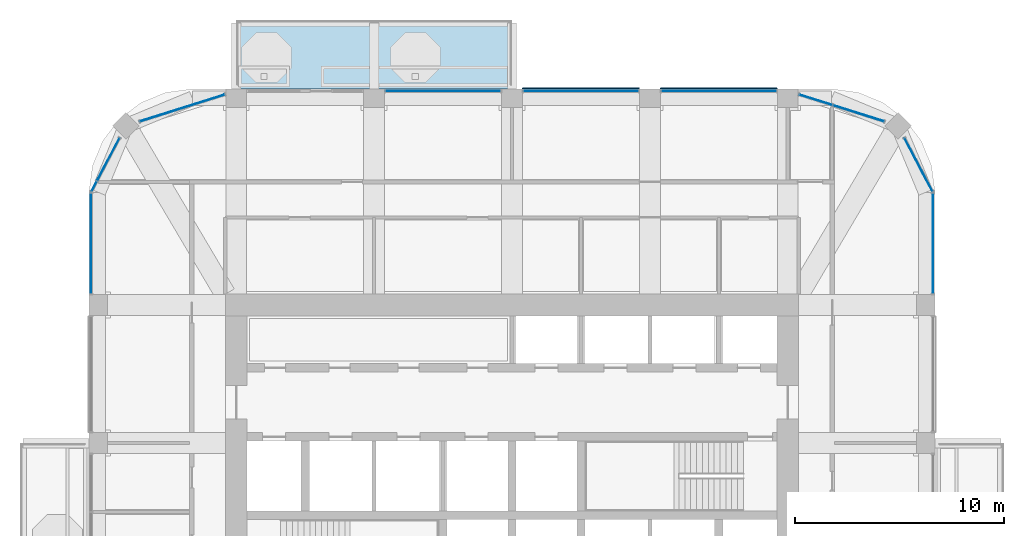
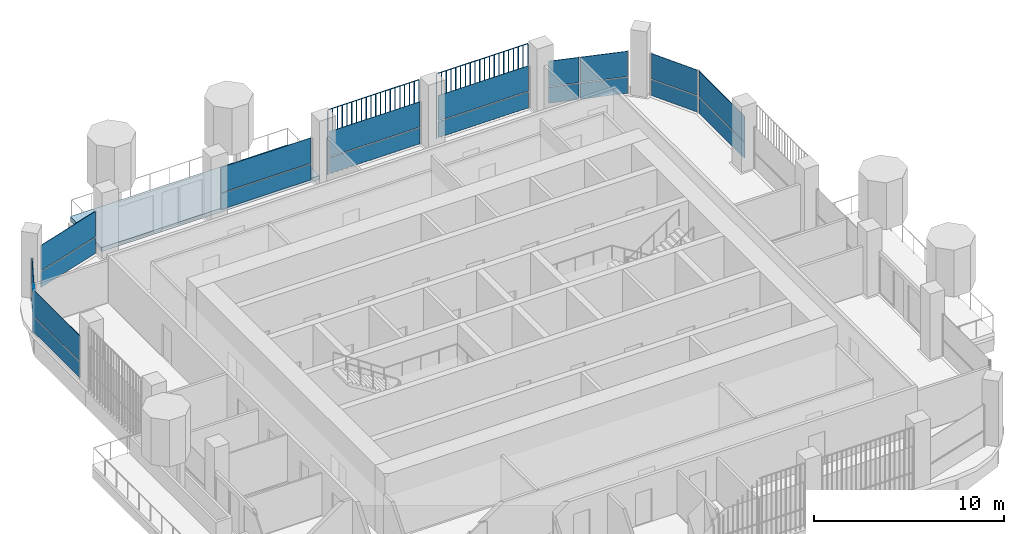
# One storey, part 11 of 19: 24 plates, 1 slab, 9 elements without a shape of their own.
"""IFC4 building model written with IfcOpenShell, lengths in metres."""

from ifc_helpers import new_model, si_unit, direction, frame, origin, origin_2d, place, context, subcontext, project, spatial, polyline, rectangle, outline, extrude, material, layer, layer_set, type_object, element, aggregate, save


model = new_model("IFC4")

# Units and contexts
model_context = context("Model", 3, precision=1e-05, world=origin(), true_north=direction((0.0, 1.0)))
body_context = subcontext(model_context, "Body", "Model", "MODEL_VIEW")
ifc_project = project(units=[si_unit("LENGTHUNIT", "METRE"), si_unit("AREAUNIT", "SQUARE_METRE"), si_unit("VOLUMEUNIT", "CUBIC_METRE"), si_unit("PLANEANGLEUNIT", "RADIAN"), si_unit("MASSUNIT", "GRAM", prefix="KILO")], contexts=[model_context])

# Site, building, storey
site_placement = place(None, origin())
site = spatial("IfcSite", under=ifc_project, at=site_placement, CompositionType="ELEMENT")
building_placement = place(site_placement, origin())
building = spatial("IfcBuilding", under=site, at=building_placement, Name="Cobogo Forest Laboratory Tower", CompositionType="ELEMENT")
storey_placement = place(building_placement, frame((0.0, 0.0, 262.800048828125)))
storey = spatial("IfcBuildingStorey", under=building, at=storey_placement, Name="L60", CompositionType="ELEMENT", Elevation=262.800048828125)

# Slab
ifc_material_1 = material(Name="Concrete HA-40 (C40/50)", Category="concrete")
ifc_layer_1 = layer(ifc_material_1, 0.25)
ifc_layer_set_1 = layer_set([ifc_layer_1], Name="Balcony slab 250")
slab_type = type_object("IfcSlabType", Name="Balcony slab 250", PredefinedType="FLOOR", material=ifc_layer_set_1)
slab_placement = place(storey_placement, frame((0.0, 0.0, -0.25)))
element("IfcSlab", 1, at=slab_placement, inside=storey, type_object=slab_type, Name="Balcony BAL-N1 L60", PredefinedType="FLOOR", context=body_context, shape_type="SweptSolid", body=[
    extrude(outline(polyline([(13.199951171875, 43.35009765625), (26.39990234375, 43.35009765625), (26.39990234375, 46.64990234375), (13.199951171875, 46.64990234375), (13.199951171875, 43.35009765625)])), origin(), (0.0, 0.0, 1.0), 0.25),
])

# Curtain wall, plates
ifc_material_2 = material(Name="Aluminium curtain wall", Category="aluminium")
curtain_wall_type = type_object("IfcCurtainWallType", Name="CW-2 unitised curtain wall, solar control glazing, laboratory floors zones C and D", PredefinedType="USERDEFINED", material=ifc_material_2)
curtain_wall_1_placement = place(storey_placement, origin())
curtain_wall_1 = element("IfcCurtainWall", 2, at=curtain_wall_1_placement, inside=storey, type_object=curtain_wall_type, Name="Curtain wall 11 L60", ObjectType="UNITISED CURTAIN WALL", PredefinedType="USERDEFINED")
ifc_material_3 = material(Name="Solar control insulated glass", Category="glass")
ifc_layer_2 = layer(ifc_material_3, 0.031982421875)
ifc_layer_set_2 = layer_set([ifc_layer_2], Name="GP-2 solar control glass unit 32")
plate_type_1 = type_object("IfcPlateType", Name="GP-2 solar control glass unit 32", PredefinedType="CURTAIN_PANEL", material=ifc_layer_set_2)
plate_1_placement = place(storey_placement, frame((46.550048828125, 35.949951171875, 0.0), z_axis=(0.0, 0.0, 1.0), x_axis=(0.0, 1.0, 0.0)))
plate_1 = element("IfcPlate", 3, at=plate_1_placement, type_object=plate_type_1, Name="CW-2 panel 1.1", PredefinedType="CURTAIN_PANEL", context=body_context, shape_type="SweptSolid", body=[
    extrude(rectangle(XDim=4.780029296875, YDim=0.031982421875, at=origin_2d()), origin(), (0.0, 0.0, 1.0), 1.02001953125),
])
plate_2_placement = place(storey_placement, frame((46.550048828125, 35.949951171875, 1.079833984375), z_axis=(0.0, 0.0, 1.0), x_axis=(0.0, 1.0, 0.0)))
plate_2 = element("IfcPlate", 4, at=plate_2_placement, type_object=plate_type_1, Name="CW-2 panel 1.2", PredefinedType="CURTAIN_PANEL", context=body_context, shape_type="SweptSolid", body=[
    extrude(rectangle(XDim=4.780029296875, YDim=0.031982421875, at=origin_2d()), origin(), (0.0, 0.0, 1.0), 1.6201171875),
])
aggregate(curtain_wall_1, [plate_1, plate_2])

curtain_wall_2_placement = place(storey_placement, origin())
curtain_wall_2 = element("IfcCurtainWall", 5, at=curtain_wall_2_placement, inside=storey, type_object=curtain_wall_type, Name="Curtain wall 12 L60", ObjectType="UNITISED CURTAIN WALL", PredefinedType="USERDEFINED")
plate_3_placement = place(storey_placement, frame((45.85693359375, 39.721923828125, 0.0), z_axis=(0.0, 0.0, 1.0), x_axis=(-0.464283778337, 0.885686498245, 0.0)))
plate_3 = element("IfcPlate", 6, at=plate_3_placement, type_object=plate_type_1, Name="CW-2 panel 1.1", PredefinedType="CURTAIN_PANEL", context=body_context, shape_type="SweptSolid", body=[
    extrude(rectangle(XDim=2.864990234375, YDim=0.031982421875, at=origin_2d()), origin(), (0.0, 0.0, 1.0), 1.02001953125),
])
plate_4_placement = place(storey_placement, frame((45.85693359375, 39.721923828125, 1.079833984375), z_axis=(0.0, 0.0, 1.0), x_axis=(-0.464283778337, 0.885686498245, 0.0)))
plate_4 = element("IfcPlate", 7, at=plate_4_placement, type_object=plate_type_1, Name="CW-2 panel 1.2", PredefinedType="CURTAIN_PANEL", context=body_context, shape_type="SweptSolid", body=[
    extrude(rectangle(XDim=2.864990234375, YDim=0.031982421875, at=origin_2d()), origin(), (0.0, 0.0, 1.0), 1.6201171875),
])
aggregate(curtain_wall_2, [plate_3, plate_4])

curtain_wall_3_placement = place(storey_placement, origin())
curtain_wall_3 = element("IfcCurtainWall", 8, at=curtain_wall_3_placement, inside=storey, type_object=curtain_wall_type, Name="Curtain wall 13 L60", ObjectType="UNITISED CURTAIN WALL", PredefinedType="USERDEFINED")
plate_5_placement = place(storey_placement, frame((42.989501953125, 42.1796875, 0.0), z_axis=(0.0, 0.0, 1.0), x_axis=(-0.953581379409, 0.301135439371, 0.0)))
plate_5 = element("IfcPlate", 9, at=plate_5_placement, type_object=plate_type_1, Name="CW-2 panel 1.1", PredefinedType="CURTAIN_PANEL", context=body_context, shape_type="SweptSolid", body=[
    extrude(rectangle(XDim=2.541748046875, YDim=0.031982421875, at=origin_2d()), origin(), (0.0, 0.0, 1.0), 1.02001953125),
])
plate_6_placement = place(storey_placement, frame((42.989501953125, 42.1796875, 1.079833984375), z_axis=(0.0, 0.0, 1.0), x_axis=(-0.953581379409, 0.301135439371, 0.0)))
plate_6 = element("IfcPlate", 10, at=plate_6_placement, type_object=plate_type_1, Name="CW-2 panel 1.2", PredefinedType="CURTAIN_PANEL", context=body_context, shape_type="SweptSolid", body=[
    extrude(rectangle(XDim=2.541748046875, YDim=0.031982421875, at=origin_2d()), origin(), (0.0, 0.0, 1.0), 1.6201171875),
])
plate_7_placement = place(storey_placement, frame((40.93896484375, 42.8271484375, 0.0), z_axis=(0.0, 0.0, 1.0), x_axis=(-0.953581379409, 0.301135439371, 0.0)))
plate_7 = element("IfcPlate", 11, at=plate_7_placement, type_object=plate_type_1, Name="CW-2 panel 2.1", PredefinedType="CURTAIN_PANEL", context=body_context, shape_type="SweptSolid", body=[
    extrude(rectangle(XDim=1.639404296875, YDim=0.031982421875, at=origin_2d()), origin(), (0.0, 0.0, 1.0), 1.02001953125),
])
plate_8_placement = place(storey_placement, frame((40.93896484375, 42.8271484375, 1.079833984375), z_axis=(0.0, 0.0, 1.0), x_axis=(-0.953581379409, 0.301135439371, 0.0)))
plate_8 = element("IfcPlate", 12, at=plate_8_placement, type_object=plate_type_1, Name="CW-2 panel 2.2", PredefinedType="CURTAIN_PANEL", context=body_context, shape_type="SweptSolid", body=[
    extrude(rectangle(XDim=1.639404296875, YDim=0.031982421875, at=origin_2d()), origin(), (0.0, 0.0, 1.0), 1.6201171875),
])
aggregate(curtain_wall_3, [plate_5, plate_6, plate_7, plate_8])

curtain_wall_4_placement = place(storey_placement, origin())
curtain_wall_4 = element("IfcCurtainWall", 13, at=curtain_wall_4_placement, inside=storey, type_object=curtain_wall_type, Name="Curtain wall 14 L60", ObjectType="UNITISED CURTAIN WALL", PredefinedType="USERDEFINED")
plate_9_placement = place(storey_placement, frame((36.300048828125, 43.25, 0.0), z_axis=(0.0, 0.0, 1.0), x_axis=(-1.0, 0.0, 0.0)))
plate_9 = element("IfcPlate", 14, at=plate_9_placement, type_object=plate_type_1, Name="CW-2 panel 1.1", PredefinedType="CURTAIN_PANEL", context=body_context, shape_type="SweptSolid", body=[
    extrude(rectangle(XDim=5.47998046875, YDim=0.031982421875, at=origin_2d()), origin(), (0.0, 0.0, 1.0), 1.02001953125),
])
plate_10_placement = place(storey_placement, frame((36.300048828125, 43.25, 1.079833984375), z_axis=(0.0, 0.0, 1.0), x_axis=(-1.0, 0.0, 0.0)))
plate_10 = element("IfcPlate", 15, at=plate_10_placement, type_object=plate_type_1, Name="CW-2 panel 1.2", PredefinedType="CURTAIN_PANEL", context=body_context, shape_type="SweptSolid", body=[
    extrude(rectangle(XDim=5.47998046875, YDim=0.031982421875, at=origin_2d()), origin(), (0.0, 0.0, 1.0), 1.6201171875),
])
aggregate(curtain_wall_4, [plate_9, plate_10])

curtain_wall_5_placement = place(storey_placement, origin())
curtain_wall_5 = element("IfcCurtainWall", 16, at=curtain_wall_5_placement, inside=storey, type_object=curtain_wall_type, Name="Curtain wall 15 L60", ObjectType="UNITISED CURTAIN WALL", PredefinedType="USERDEFINED")
plate_11_placement = place(storey_placement, frame((29.699951171875, 43.25, 0.0), z_axis=(0.0, 0.0, 1.0), x_axis=(-1.0, 0.0, 0.0)))
plate_11 = element("IfcPlate", 17, at=plate_11_placement, type_object=plate_type_1, Name="CW-2 panel 1.1", PredefinedType="CURTAIN_PANEL", context=body_context, shape_type="SweptSolid", body=[
    extrude(rectangle(XDim=5.47998046875, YDim=0.031982421875, at=origin_2d()), origin(), (0.0, 0.0, 1.0), 1.02001953125),
])
plate_12_placement = place(storey_placement, frame((29.699951171875, 43.25, 1.079833984375), z_axis=(0.0, 0.0, 1.0), x_axis=(-1.0, 0.0, 0.0)))
plate_12 = element("IfcPlate", 18, at=plate_12_placement, type_object=plate_type_1, Name="CW-2 panel 1.2", PredefinedType="CURTAIN_PANEL", context=body_context, shape_type="SweptSolid", body=[
    extrude(rectangle(XDim=5.47998046875, YDim=0.031982421875, at=origin_2d()), origin(), (0.0, 0.0, 1.0), 1.6201171875),
])
aggregate(curtain_wall_5, [plate_11, plate_12])

curtain_wall_6_placement = place(storey_placement, origin())
curtain_wall_6 = element("IfcCurtainWall", 19, at=curtain_wall_6_placement, inside=storey, type_object=curtain_wall_type, Name="Curtain wall 16 L60", ObjectType="UNITISED CURTAIN WALL", PredefinedType="USERDEFINED")
plate_13_placement = place(storey_placement, frame((23.10009765625, 43.25, 0.0), z_axis=(0.0, 0.0, 1.0), x_axis=(-1.0, 0.0, 0.0)))
plate_13 = element("IfcPlate", 20, at=plate_13_placement, type_object=plate_type_1, Name="CW-2 panel 1.1", PredefinedType="CURTAIN_PANEL", context=body_context, shape_type="SweptSolid", body=[
    extrude(rectangle(XDim=5.47998046875, YDim=0.031982421875, at=origin_2d()), origin(), (0.0, 0.0, 1.0), 1.02001953125),
])
plate_14_placement = place(storey_placement, frame((23.10009765625, 43.25, 1.079833984375), z_axis=(0.0, 0.0, 1.0), x_axis=(-1.0, 0.0, 0.0)))
plate_14 = element("IfcPlate", 21, at=plate_14_placement, type_object=plate_type_1, Name="CW-2 panel 1.2", PredefinedType="CURTAIN_PANEL", context=body_context, shape_type="SweptSolid", body=[
    extrude(rectangle(XDim=5.47998046875, YDim=0.031982421875, at=origin_2d()), origin(), (0.0, 0.0, 1.0), 1.6201171875),
])
aggregate(curtain_wall_6, [plate_13, plate_14])

curtain_wall_7_placement = place(storey_placement, origin())
curtain_wall_7 = element("IfcCurtainWall", 22, at=curtain_wall_7_placement, inside=storey, type_object=curtain_wall_type, Name="Curtain wall 18 L60", ObjectType="UNITISED CURTAIN WALL", PredefinedType="USERDEFINED")
plate_15_placement = place(storey_placement, frame((10.62060546875, 42.435546875, 0.0), z_axis=(0.0, 0.0, 1.0), x_axis=(-0.953581379409, -0.301135439371, 0.0)))
plate_15 = element("IfcPlate", 23, at=plate_15_placement, type_object=plate_type_1, Name="CW-2 panel 1.1", PredefinedType="CURTAIN_PANEL", context=body_context, shape_type="SweptSolid", body=[
    extrude(rectangle(XDim=4.240966796875, YDim=0.031982421875, at=origin_2d()), origin(), (0.0, 0.0, 1.0), 1.02001953125),
])
plate_16_placement = place(storey_placement, frame((10.62060546875, 42.435546875, 1.079833984375), z_axis=(0.0, 0.0, 1.0), x_axis=(-0.953581379409, -0.301135439371, 0.0)))
plate_16 = element("IfcPlate", 24, at=plate_16_placement, type_object=plate_type_1, Name="CW-2 panel 1.2", PredefinedType="CURTAIN_PANEL", context=body_context, shape_type="SweptSolid", body=[
    extrude(rectangle(XDim=4.240966796875, YDim=0.031982421875, at=origin_2d()), origin(), (0.0, 0.0, 1.0), 1.6201171875),
])
aggregate(curtain_wall_7, [plate_15, plate_16])

curtain_wall_8_placement = place(storey_placement, origin())
curtain_wall_8 = element("IfcCurtainWall", 25, at=curtain_wall_8_placement, inside=storey, type_object=curtain_wall_type, Name="Curtain wall 19 L60", ObjectType="UNITISED CURTAIN WALL", PredefinedType="USERDEFINED")
plate_17_placement = place(storey_placement, frame((7.076904296875, 39.977294921875, 0.0), z_axis=(0.0, 0.0, 1.0), x_axis=(-0.464283778337, -0.885686498245, 0.0)))
plate_17 = element("IfcPlate", 26, at=plate_17_placement, type_object=plate_type_1, Name="CW-2 panel 1.1", PredefinedType="CURTAIN_PANEL", context=body_context, shape_type="SweptSolid", body=[
    extrude(rectangle(XDim=2.28857421875, YDim=0.031982421875, at=origin_2d()), origin(), (0.0, 0.0, 1.0), 1.02001953125),
])
plate_18_placement = place(storey_placement, frame((7.076904296875, 39.977294921875, 1.079833984375), z_axis=(0.0, 0.0, 1.0), x_axis=(-0.464283778337, -0.885686498245, 0.0)))
plate_18 = element("IfcPlate", 27, at=plate_18_placement, type_object=plate_type_1, Name="CW-2 panel 1.2", PredefinedType="CURTAIN_PANEL", context=body_context, shape_type="SweptSolid", body=[
    extrude(rectangle(XDim=2.28857421875, YDim=0.031982421875, at=origin_2d()), origin(), (0.0, 0.0, 1.0), 1.6201171875),
])
plate_19_placement = place(storey_placement, frame((6.397705078125, 38.681884765625, 0.0), z_axis=(0.0, 0.0, 1.0), x_axis=(-0.464283778337, -0.885686498245, 0.0)))
plate_19 = element("IfcPlate", 28, at=plate_19_placement, type_object=plate_type_1, Name="CW-2 panel 2.1", PredefinedType="CURTAIN_PANEL", context=body_context, shape_type="SweptSolid", body=[
    extrude(rectangle(XDim=0.516357421875, YDim=0.031982421875, at=origin_2d()), origin(), (0.0, 0.0, 1.0), 1.02001953125),
])
plate_20_placement = place(storey_placement, frame((6.397705078125, 38.681884765625, 1.079833984375), z_axis=(0.0, 0.0, 1.0), x_axis=(-0.464283778337, -0.885686498245, 0.0)))
plate_20 = element("IfcPlate", 29, at=plate_20_placement, type_object=plate_type_1, Name="CW-2 panel 2.2", PredefinedType="CURTAIN_PANEL", context=body_context, shape_type="SweptSolid", body=[
    extrude(rectangle(XDim=0.516357421875, YDim=0.031982421875, at=origin_2d()), origin(), (0.0, 0.0, 1.0), 1.6201171875),
])
aggregate(curtain_wall_8, [plate_17, plate_18, plate_19, plate_20])

curtain_wall_9_placement = place(storey_placement, origin())
curtain_wall_9 = element("IfcCurtainWall", 30, at=curtain_wall_9_placement, inside=storey, type_object=curtain_wall_type, Name="Curtain wall 20 L60", ObjectType="UNITISED CURTAIN WALL", PredefinedType="USERDEFINED")
plate_21_placement = place(storey_placement, frame((6.25, 35.949951171875, 0.0), z_axis=(0.0, 0.0, 1.0), x_axis=(0.0, -1.0, 0.0)))
plate_21 = element("IfcPlate", 31, at=plate_21_placement, type_object=plate_type_1, Name="CW-2 panel 1.1", PredefinedType="CURTAIN_PANEL", context=body_context, shape_type="SweptSolid", body=[
    extrude(rectangle(XDim=4.780029296875, YDim=0.031982421875, at=origin_2d()), origin(), (0.0, 0.0, 1.0), 1.02001953125),
])
plate_22_placement = place(storey_placement, frame((6.25, 35.949951171875, 1.079833984375), z_axis=(0.0, 0.0, 1.0), x_axis=(0.0, -1.0, 0.0)))
plate_22 = element("IfcPlate", 32, at=plate_22_placement, type_object=plate_type_1, Name="CW-2 panel 1.2", PredefinedType="CURTAIN_PANEL", context=body_context, shape_type="SweptSolid", body=[
    extrude(rectangle(XDim=4.780029296875, YDim=0.031982421875, at=origin_2d()), origin(), (0.0, 0.0, 1.0), 1.6201171875),
])
aggregate(curtain_wall_9, [plate_21, plate_22])

# Plates
ifc_material_4 = material(Name="Terracotta", Category="masonry")
plate_type_2 = type_object("IfcPlateType", Name="TB1 terracotta baguette screen", PredefinedType="USERDEFINED", material=ifc_material_4)
plate_23_placement = place(storey_placement, frame((26.93115234375, 43.3779296875, -0.150146484375)))
element("IfcPlate", 33, at=plate_23_placement, inside=storey, type_object=plate_type_2, Name="Baguette screen N3 L60", ObjectType="BAGUETTE SCREEN", PredefinedType="USERDEFINED", context=body_context, shape_type="SweptSolid", body=[
    extrude(outline(polyline([(0.02880859375, 0.011962890625), (0.011962890625, 0.02880859375), (-0.011962890625, 0.02880859375), (-0.02880859375, 0.011962890625), (-0.02880859375, -0.011962890625), (-0.011962890625, -0.02880859375), (0.011962890625, -0.02880859375), (0.02880859375, -0.011962890625), (0.02880859375, 0.011962890625)])), frame((0.0, 0.0, 4.168701171875), z_axis=(1.0, 0.0, 0.0), x_axis=(0.0, 1.0, 0.0)), (0.0, 0.0, 1.0), 5.53759765625),
    extrude(outline(polyline([(0.02880859375, 0.011962890625), (0.011962890625, 0.02880859375), (-0.011962890625, 0.02880859375), (-0.02880859375, 0.011962890625), (-0.02880859375, -0.011962890625), (-0.011962890625, -0.02880859375), (0.011962890625, -0.02880859375), (0.02880859375, -0.011962890625), (0.02880859375, 0.011962890625)])), origin(), (0.0, 0.0, 1.0), 4.137451171875),
    extrude(outline(polyline([(0.02880859375, 0.011962890625), (0.011962890625, 0.02880859375), (-0.011962890625, 0.02880859375), (-0.02880859375, 0.011962890625), (-0.02880859375, -0.011962890625), (-0.011962890625, -0.02880859375), (0.011962890625, -0.02880859375), (0.02880859375, -0.011962890625), (0.02880859375, 0.011962890625)])), frame((0.29150390625, 0.0, 0.0)), (0.0, 0.0, 1.0), 4.137451171875),
    extrude(outline(polyline([(0.02880859375, 0.011962890625), (0.011962890625, 0.02880859375), (-0.011962890625, 0.02880859375), (-0.02880859375, 0.011962890625), (-0.02880859375, -0.011962890625), (-0.011962890625, -0.02880859375), (0.011962890625, -0.02880859375), (0.02880859375, -0.011962890625), (0.02880859375, 0.011962890625)])), frame((0.5830078125, 0.0, 0.0)), (0.0, 0.0, 1.0), 4.137451171875),
    extrude(outline(polyline([(0.02880859375, 0.011962890625), (0.011962890625, 0.02880859375), (-0.011962890625, 0.02880859375), (-0.02880859375, 0.011962890625), (-0.02880859375, -0.011962890625), (-0.011962890625, -0.02880859375), (0.011962890625, -0.02880859375), (0.02880859375, -0.011962890625), (0.02880859375, 0.011962890625)])), frame((0.874267578125, 0.0, 0.0)), (0.0, 0.0, 1.0), 4.137451171875),
    extrude(outline(polyline([(0.02880859375, 0.011962890625), (0.011962890625, 0.02880859375), (-0.011962890625, 0.02880859375), (-0.02880859375, 0.011962890625), (-0.02880859375, -0.011962890625), (-0.011962890625, -0.02880859375), (0.011962890625, -0.02880859375), (0.02880859375, -0.011962890625), (0.02880859375, 0.011962890625)])), frame((1.165771484375, 0.0, 0.0)), (0.0, 0.0, 1.0), 4.137451171875),
    extrude(outline(polyline([(0.02880859375, 0.011962890625), (0.011962890625, 0.02880859375), (-0.011962890625, 0.02880859375), (-0.02880859375, 0.011962890625), (-0.02880859375, -0.011962890625), (-0.011962890625, -0.02880859375), (0.011962890625, -0.02880859375), (0.02880859375, -0.011962890625), (0.02880859375, 0.011962890625)])), frame((1.457275390625, 0.0, 0.0)), (0.0, 0.0, 1.0), 4.137451171875),
    extrude(outline(polyline([(0.02880859375, 0.011962890625), (0.011962890625, 0.02880859375), (-0.011962890625, 0.02880859375), (-0.02880859375, 0.011962890625), (-0.02880859375, -0.011962890625), (-0.011962890625, -0.02880859375), (0.011962890625, -0.02880859375), (0.02880859375, -0.011962890625), (0.02880859375, 0.011962890625)])), frame((1.748779296875, 0.0, 0.0)), (0.0, 0.0, 1.0), 4.137451171875),
    extrude(outline(polyline([(0.02880859375, 0.011962890625), (0.011962890625, 0.02880859375), (-0.011962890625, 0.02880859375), (-0.02880859375, 0.011962890625), (-0.02880859375, -0.011962890625), (-0.011962890625, -0.02880859375), (0.011962890625, -0.02880859375), (0.02880859375, -0.011962890625), (0.02880859375, 0.011962890625)])), frame((2.040283203125, 0.0, 0.0)), (0.0, 0.0, 1.0), 4.137451171875),
    extrude(outline(polyline([(0.02880859375, 0.011962890625), (0.011962890625, 0.02880859375), (-0.011962890625, 0.02880859375), (-0.02880859375, 0.011962890625), (-0.02880859375, -0.011962890625), (-0.011962890625, -0.02880859375), (0.011962890625, -0.02880859375), (0.02880859375, -0.011962890625), (0.02880859375, 0.011962890625)])), frame((2.33154296875, 0.0, 0.0)), (0.0, 0.0, 1.0), 4.137451171875),
    extrude(outline(polyline([(0.02880859375, 0.011962890625), (0.011962890625, 0.02880859375), (-0.011962890625, 0.02880859375), (-0.02880859375, 0.011962890625), (-0.02880859375, -0.011962890625), (-0.011962890625, -0.02880859375), (0.011962890625, -0.02880859375), (0.02880859375, -0.011962890625), (0.02880859375, 0.011962890625)])), frame((2.623046875, 0.0, 0.0)), (0.0, 0.0, 1.0), 4.137451171875),
    extrude(outline(polyline([(0.02880859375, 0.011962890625), (0.011962890625, 0.02880859375), (-0.011962890625, 0.02880859375), (-0.02880859375, 0.011962890625), (-0.02880859375, -0.011962890625), (-0.011962890625, -0.02880859375), (0.011962890625, -0.02880859375), (0.02880859375, -0.011962890625), (0.02880859375, 0.011962890625)])), frame((2.91455078125, 0.0, 0.0)), (0.0, 0.0, 1.0), 4.137451171875),
    extrude(outline(polyline([(0.02880859375, 0.011962890625), (0.011962890625, 0.02880859375), (-0.011962890625, 0.02880859375), (-0.02880859375, 0.011962890625), (-0.02880859375, -0.011962890625), (-0.011962890625, -0.02880859375), (0.011962890625, -0.02880859375), (0.02880859375, -0.011962890625), (0.02880859375, 0.011962890625)])), frame((3.2060546875, 0.0, 0.0)), (0.0, 0.0, 1.0), 4.137451171875),
    extrude(outline(polyline([(0.02880859375, 0.011962890625), (0.011962890625, 0.02880859375), (-0.011962890625, 0.02880859375), (-0.02880859375, 0.011962890625), (-0.02880859375, -0.011962890625), (-0.011962890625, -0.02880859375), (0.011962890625, -0.02880859375), (0.02880859375, -0.011962890625), (0.02880859375, 0.011962890625)])), frame((3.497314453125, 0.0, 0.0)), (0.0, 0.0, 1.0), 4.137451171875),
    extrude(outline(polyline([(0.02880859375, 0.011962890625), (0.011962890625, 0.02880859375), (-0.011962890625, 0.02880859375), (-0.02880859375, 0.011962890625), (-0.02880859375, -0.011962890625), (-0.011962890625, -0.02880859375), (0.011962890625, -0.02880859375), (0.02880859375, -0.011962890625), (0.02880859375, 0.011962890625)])), frame((3.788818359375, 0.0, 0.0)), (0.0, 0.0, 1.0), 4.137451171875),
    extrude(outline(polyline([(0.02880859375, 0.011962890625), (0.011962890625, 0.02880859375), (-0.011962890625, 0.02880859375), (-0.02880859375, 0.011962890625), (-0.02880859375, -0.011962890625), (-0.011962890625, -0.02880859375), (0.011962890625, -0.02880859375), (0.02880859375, -0.011962890625), (0.02880859375, 0.011962890625)])), frame((4.080322265625, 0.0, 0.0)), (0.0, 0.0, 1.0), 4.137451171875),
    extrude(outline(polyline([(0.02880859375, 0.011962890625), (0.011962890625, 0.02880859375), (-0.011962890625, 0.02880859375), (-0.02880859375, 0.011962890625), (-0.02880859375, -0.011962890625), (-0.011962890625, -0.02880859375), (0.011962890625, -0.02880859375), (0.02880859375, -0.011962890625), (0.02880859375, 0.011962890625)])), frame((4.371826171875, 0.0, 0.0)), (0.0, 0.0, 1.0), 4.137451171875),
    extrude(outline(polyline([(0.02880859375, 0.011962890625), (0.011962890625, 0.02880859375), (-0.011962890625, 0.02880859375), (-0.02880859375, 0.011962890625), (-0.02880859375, -0.011962890625), (-0.011962890625, -0.02880859375), (0.011962890625, -0.02880859375), (0.02880859375, -0.011962890625), (0.02880859375, 0.011962890625)])), frame((4.663330078125, 0.0, 0.0)), (0.0, 0.0, 1.0), 4.137451171875),
    extrude(outline(polyline([(0.02880859375, 0.011962890625), (0.011962890625, 0.02880859375), (-0.011962890625, 0.02880859375), (-0.02880859375, 0.011962890625), (-0.02880859375, -0.011962890625), (-0.011962890625, -0.02880859375), (0.011962890625, -0.02880859375), (0.02880859375, -0.011962890625), (0.02880859375, 0.011962890625)])), frame((4.95458984375, 0.0, 0.0)), (0.0, 0.0, 1.0), 4.137451171875),
    extrude(outline(polyline([(0.02880859375, 0.011962890625), (0.011962890625, 0.02880859375), (-0.011962890625, 0.02880859375), (-0.02880859375, 0.011962890625), (-0.02880859375, -0.011962890625), (-0.011962890625, -0.02880859375), (0.011962890625, -0.02880859375), (0.02880859375, -0.011962890625), (0.02880859375, 0.011962890625)])), frame((5.24609375, 0.0, 0.0)), (0.0, 0.0, 1.0), 4.137451171875),
    extrude(outline(polyline([(0.02880859375, 0.011962890625), (0.011962890625, 0.02880859375), (-0.011962890625, 0.02880859375), (-0.02880859375, 0.011962890625), (-0.02880859375, -0.011962890625), (-0.011962890625, -0.02880859375), (0.011962890625, -0.02880859375), (0.02880859375, -0.011962890625), (0.02880859375, 0.011962890625)])), frame((5.53759765625, 0.0, 0.0)), (0.0, 0.0, 1.0), 4.137451171875),
])
plate_24_placement = place(storey_placement, frame((33.53125, 43.3779296875, -0.150146484375)))
element("IfcPlate", 34, at=plate_24_placement, inside=storey, type_object=plate_type_2, Name="Baguette screen N4 L60", ObjectType="BAGUETTE SCREEN", PredefinedType="USERDEFINED", context=body_context, shape_type="SweptSolid", body=[
    extrude(outline(polyline([(0.02880859375, 0.011962890625), (0.011962890625, 0.02880859375), (-0.011962890625, 0.02880859375), (-0.02880859375, 0.011962890625), (-0.02880859375, -0.011962890625), (-0.011962890625, -0.02880859375), (0.011962890625, -0.02880859375), (0.02880859375, -0.011962890625), (0.02880859375, 0.011962890625)])), frame((0.0, 0.0, 4.168701171875), z_axis=(1.0, 0.0, 0.0), x_axis=(0.0, 1.0, 0.0)), (0.0, 0.0, 1.0), 5.53759765625),
    extrude(outline(polyline([(0.02880859375, 0.011962890625), (0.011962890625, 0.02880859375), (-0.011962890625, 0.02880859375), (-0.02880859375, 0.011962890625), (-0.02880859375, -0.011962890625), (-0.011962890625, -0.02880859375), (0.011962890625, -0.02880859375), (0.02880859375, -0.011962890625), (0.02880859375, 0.011962890625)])), origin(), (0.0, 0.0, 1.0), 4.137451171875),
    extrude(outline(polyline([(0.02880859375, 0.011962890625), (0.011962890625, 0.02880859375), (-0.011962890625, 0.02880859375), (-0.02880859375, 0.011962890625), (-0.02880859375, -0.011962890625), (-0.011962890625, -0.02880859375), (0.011962890625, -0.02880859375), (0.02880859375, -0.011962890625), (0.02880859375, 0.011962890625)])), frame((0.29150390625, 0.0, 0.0)), (0.0, 0.0, 1.0), 4.137451171875),
    extrude(outline(polyline([(0.02880859375, 0.011962890625), (0.011962890625, 0.02880859375), (-0.011962890625, 0.02880859375), (-0.02880859375, 0.011962890625), (-0.02880859375, -0.011962890625), (-0.011962890625, -0.02880859375), (0.011962890625, -0.02880859375), (0.02880859375, -0.011962890625), (0.02880859375, 0.011962890625)])), frame((0.5830078125, 0.0, 0.0)), (0.0, 0.0, 1.0), 4.137451171875),
    extrude(outline(polyline([(0.02880859375, 0.011962890625), (0.011962890625, 0.02880859375), (-0.011962890625, 0.02880859375), (-0.02880859375, 0.011962890625), (-0.02880859375, -0.011962890625), (-0.011962890625, -0.02880859375), (0.011962890625, -0.02880859375), (0.02880859375, -0.011962890625), (0.02880859375, 0.011962890625)])), frame((0.874267578125, 0.0, 0.0)), (0.0, 0.0, 1.0), 4.137451171875),
    extrude(outline(polyline([(0.02880859375, 0.011962890625), (0.011962890625, 0.02880859375), (-0.011962890625, 0.02880859375), (-0.02880859375, 0.011962890625), (-0.02880859375, -0.011962890625), (-0.011962890625, -0.02880859375), (0.011962890625, -0.02880859375), (0.02880859375, -0.011962890625), (0.02880859375, 0.011962890625)])), frame((1.165771484375, 0.0, 0.0)), (0.0, 0.0, 1.0), 4.137451171875),
    extrude(outline(polyline([(0.02880859375, 0.011962890625), (0.011962890625, 0.02880859375), (-0.011962890625, 0.02880859375), (-0.02880859375, 0.011962890625), (-0.02880859375, -0.011962890625), (-0.011962890625, -0.02880859375), (0.011962890625, -0.02880859375), (0.02880859375, -0.011962890625), (0.02880859375, 0.011962890625)])), frame((1.457275390625, 0.0, 0.0)), (0.0, 0.0, 1.0), 4.137451171875),
    extrude(outline(polyline([(0.02880859375, 0.011962890625), (0.011962890625, 0.02880859375), (-0.011962890625, 0.02880859375), (-0.02880859375, 0.011962890625), (-0.02880859375, -0.011962890625), (-0.011962890625, -0.02880859375), (0.011962890625, -0.02880859375), (0.02880859375, -0.011962890625), (0.02880859375, 0.011962890625)])), frame((1.748779296875, 0.0, 0.0)), (0.0, 0.0, 1.0), 4.137451171875),
    extrude(outline(polyline([(0.02880859375, 0.011962890625), (0.011962890625, 0.02880859375), (-0.011962890625, 0.02880859375), (-0.02880859375, 0.011962890625), (-0.02880859375, -0.011962890625), (-0.011962890625, -0.02880859375), (0.011962890625, -0.02880859375), (0.02880859375, -0.011962890625), (0.02880859375, 0.011962890625)])), frame((2.040283203125, 0.0, 0.0)), (0.0, 0.0, 1.0), 4.137451171875),
    extrude(outline(polyline([(0.02880859375, 0.011962890625), (0.011962890625, 0.02880859375), (-0.011962890625, 0.02880859375), (-0.02880859375, 0.011962890625), (-0.02880859375, -0.011962890625), (-0.011962890625, -0.02880859375), (0.011962890625, -0.02880859375), (0.02880859375, -0.011962890625), (0.02880859375, 0.011962890625)])), frame((2.33154296875, 0.0, 0.0)), (0.0, 0.0, 1.0), 4.137451171875),
    extrude(outline(polyline([(0.02880859375, 0.011962890625), (0.011962890625, 0.02880859375), (-0.011962890625, 0.02880859375), (-0.02880859375, 0.011962890625), (-0.02880859375, -0.011962890625), (-0.011962890625, -0.02880859375), (0.011962890625, -0.02880859375), (0.02880859375, -0.011962890625), (0.02880859375, 0.011962890625)])), frame((2.623046875, 0.0, 0.0)), (0.0, 0.0, 1.0), 4.137451171875),
    extrude(outline(polyline([(0.02880859375, 0.011962890625), (0.011962890625, 0.02880859375), (-0.011962890625, 0.02880859375), (-0.02880859375, 0.011962890625), (-0.02880859375, -0.011962890625), (-0.011962890625, -0.02880859375), (0.011962890625, -0.02880859375), (0.02880859375, -0.011962890625), (0.02880859375, 0.011962890625)])), frame((2.91455078125, 0.0, 0.0)), (0.0, 0.0, 1.0), 4.137451171875),
    extrude(outline(polyline([(0.02880859375, 0.011962890625), (0.011962890625, 0.02880859375), (-0.011962890625, 0.02880859375), (-0.02880859375, 0.011962890625), (-0.02880859375, -0.011962890625), (-0.011962890625, -0.02880859375), (0.011962890625, -0.02880859375), (0.02880859375, -0.011962890625), (0.02880859375, 0.011962890625)])), frame((3.2060546875, 0.0, 0.0)), (0.0, 0.0, 1.0), 4.137451171875),
    extrude(outline(polyline([(0.02880859375, 0.011962890625), (0.011962890625, 0.02880859375), (-0.011962890625, 0.02880859375), (-0.02880859375, 0.011962890625), (-0.02880859375, -0.011962890625), (-0.011962890625, -0.02880859375), (0.011962890625, -0.02880859375), (0.02880859375, -0.011962890625), (0.02880859375, 0.011962890625)])), frame((3.497314453125, 0.0, 0.0)), (0.0, 0.0, 1.0), 4.137451171875),
    extrude(outline(polyline([(0.02880859375, 0.011962890625), (0.011962890625, 0.02880859375), (-0.011962890625, 0.02880859375), (-0.02880859375, 0.011962890625), (-0.02880859375, -0.011962890625), (-0.011962890625, -0.02880859375), (0.011962890625, -0.02880859375), (0.02880859375, -0.011962890625), (0.02880859375, 0.011962890625)])), frame((3.788818359375, 0.0, 0.0)), (0.0, 0.0, 1.0), 4.137451171875),
    extrude(outline(polyline([(0.02880859375, 0.011962890625), (0.011962890625, 0.02880859375), (-0.011962890625, 0.02880859375), (-0.02880859375, 0.011962890625), (-0.02880859375, -0.011962890625), (-0.011962890625, -0.02880859375), (0.011962890625, -0.02880859375), (0.02880859375, -0.011962890625), (0.02880859375, 0.011962890625)])), frame((4.080322265625, 0.0, 0.0)), (0.0, 0.0, 1.0), 4.137451171875),
    extrude(outline(polyline([(0.02880859375, 0.011962890625), (0.011962890625, 0.02880859375), (-0.011962890625, 0.02880859375), (-0.02880859375, 0.011962890625), (-0.02880859375, -0.011962890625), (-0.011962890625, -0.02880859375), (0.011962890625, -0.02880859375), (0.02880859375, -0.011962890625), (0.02880859375, 0.011962890625)])), frame((4.371826171875, 0.0, 0.0)), (0.0, 0.0, 1.0), 4.137451171875),
    extrude(outline(polyline([(0.02880859375, 0.011962890625), (0.011962890625, 0.02880859375), (-0.011962890625, 0.02880859375), (-0.02880859375, 0.011962890625), (-0.02880859375, -0.011962890625), (-0.011962890625, -0.02880859375), (0.011962890625, -0.02880859375), (0.02880859375, -0.011962890625), (0.02880859375, 0.011962890625)])), frame((4.663330078125, 0.0, 0.0)), (0.0, 0.0, 1.0), 4.137451171875),
    extrude(outline(polyline([(0.02880859375, 0.011962890625), (0.011962890625, 0.02880859375), (-0.011962890625, 0.02880859375), (-0.02880859375, 0.011962890625), (-0.02880859375, -0.011962890625), (-0.011962890625, -0.02880859375), (0.011962890625, -0.02880859375), (0.02880859375, -0.011962890625), (0.02880859375, 0.011962890625)])), frame((4.95458984375, 0.0, 0.0)), (0.0, 0.0, 1.0), 4.137451171875),
    extrude(outline(polyline([(0.02880859375, 0.011962890625), (0.011962890625, 0.02880859375), (-0.011962890625, 0.02880859375), (-0.02880859375, 0.011962890625), (-0.02880859375, -0.011962890625), (-0.011962890625, -0.02880859375), (0.011962890625, -0.02880859375), (0.02880859375, -0.011962890625), (0.02880859375, 0.011962890625)])), frame((5.24609375, 0.0, 0.0)), (0.0, 0.0, 1.0), 4.137451171875),
    extrude(outline(polyline([(0.02880859375, 0.011962890625), (0.011962890625, 0.02880859375), (-0.011962890625, 0.02880859375), (-0.02880859375, 0.011962890625), (-0.02880859375, -0.011962890625), (-0.011962890625, -0.02880859375), (0.011962890625, -0.02880859375), (0.02880859375, -0.011962890625), (0.02880859375, 0.011962890625)])), frame((5.53759765625, 0.0, 0.0)), (0.0, 0.0, 1.0), 4.137451171875),
])

save(model, "model.ifc")
